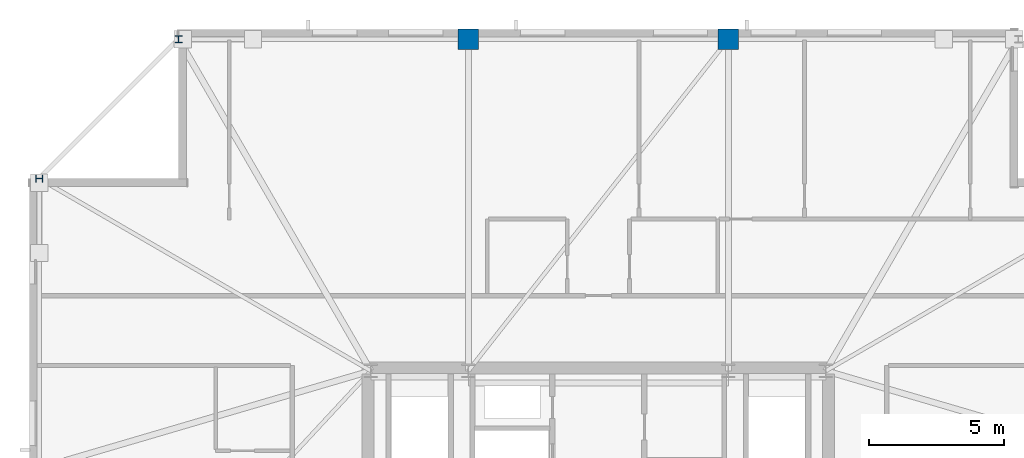
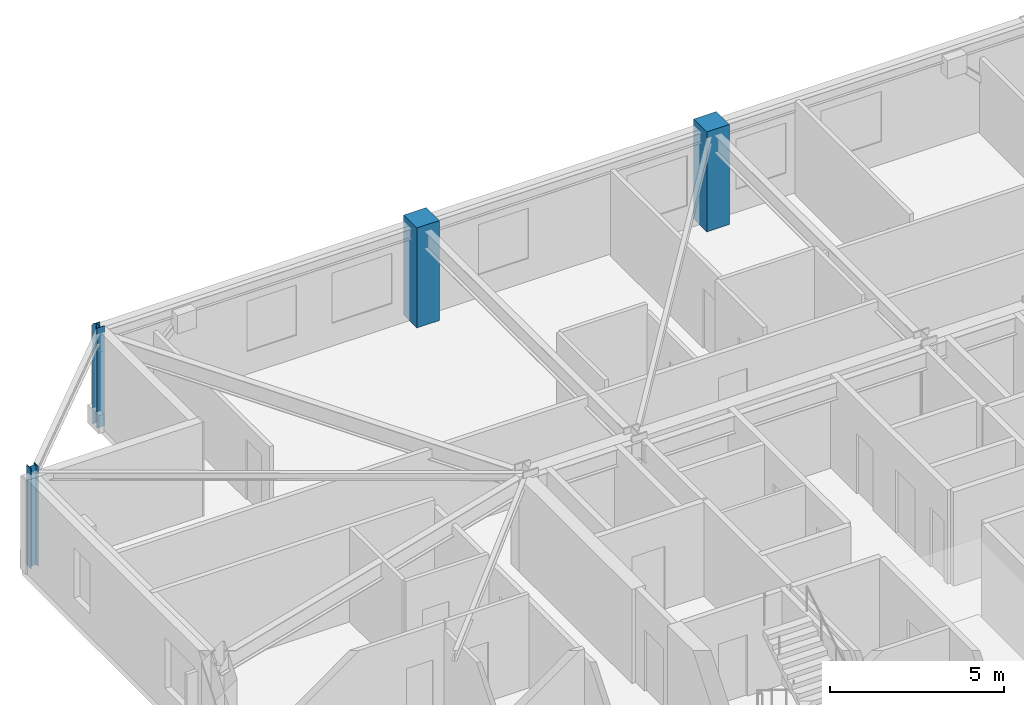
# One storey, part 4 of 15: 4 columns.
"""IFC4 building model written with IfcOpenShell, lengths in metres."""

from ifc_helpers import new_model, si_unit, direction, frame, origin, origin_2d, place, context, subcontext, project, spatial, rectangle, i_section, extrude, material, material_profile, profile_set, type_object, element, save


model = new_model("IFC4")

# Units and contexts
model_context = context("Model", 3, precision=1e-05, world=origin(), true_north=direction((0.0, 1.0)))
body_context = subcontext(model_context, "Body", "Model", "MODEL_VIEW")
ifc_project = project(units=[si_unit("LENGTHUNIT", "METRE"), si_unit("AREAUNIT", "SQUARE_METRE"), si_unit("VOLUMEUNIT", "CUBIC_METRE"), si_unit("PLANEANGLEUNIT", "RADIAN"), si_unit("MASSUNIT", "GRAM", prefix="KILO")], contexts=[model_context])

# Site, building, storey
site_placement = place(None, origin())
site = spatial("IfcSite", under=ifc_project, at=site_placement, CompositionType="ELEMENT")
building_placement = place(site_placement, origin())
building = spatial("IfcBuilding", under=site, at=building_placement, Name="Cairnveth Concourse Tower", CompositionType="ELEMENT")
storey_placement = place(building_placement, frame((0.0, 0.0, 298.0)))
storey = spatial("IfcBuildingStorey", under=building, at=storey_placement, Name="L82", CompositionType="ELEMENT", Elevation=298.0)

# Columns
ifc_material_1 = material(Name="Concrete N50 (50 MPa)", Category="concrete")
ifc_material_profile_1 = material_profile(ifc_material_1, rectangle(XDim=0.75, YDim=0.75, at=origin_2d()), Name="RC-COL-750x750")
ifc_profile_set_1 = profile_set([ifc_material_profile_1], Name="Concrete N50 (50 MPa)")
column_type_1 = type_object("IfcColumnType", Name="PERIMETER PIER COLUMN 750X750", PredefinedType="COLUMN", material=ifc_profile_set_1)
for number, where, z_axis, x_axis, name in (
    (1, (56.800048828125, 59.64990234375, 0.0), (0.0, 0.0, 1.0), (1.0, 0.0, 0.0), "Column P-N2 L82"),
    (2, (47.199951171875, 59.64990234375, 0.0), (0.0, 0.0, 1.0), (1.0, 0.0, 0.0), "Column P-N3 L82"),
):
    element("IfcColumn", number, at=place(storey_placement, frame(where, z_axis=z_axis, x_axis=x_axis)), inside=storey, type_object=column_type_1, Name=name, PredefinedType="COLUMN", context=body_context, shape_type="SweptSolid", body=[
        extrude(rectangle(XDim=0.75, YDim=0.75, at=origin_2d()), origin(), (0.0, 0.0, 1.0), 3.5),
    ])
ifc_material_2 = material(Name="Steel Grade 350", Category="steel")
ifc_material_profile_2 = material_profile(ifc_material_2, i_section(OverallWidth=0.25390625, OverallDepth=0.25390625, WebThickness=0.008544921875, FlangeThickness=0.01416015625, FilletRadius=0.012939453125, at=origin_2d()), Name="250UC72.9")
ifc_profile_set_2 = profile_set([ifc_material_profile_2], Name="Steel Grade 350")
column_type_2 = type_object("IfcColumnType", Name="UNIVERSAL STEEL COLUMN 250UC72.9", PredefinedType="COLUMN", material=ifc_profile_set_2)
for number, where, z_axis, x_axis, name in (
    (3, (36.5, 59.64990234375, 0.0), (0.0, 0.0, 1.0), (1.0, 0.0, 0.0), "Column P-N4 L82"),
    (4, (31.35009765625, 54.5, 0.0), (0.0, 0.0, 1.0), (0.0, 1.0, 0.0), "Column P-W1 L82"),
):
    element("IfcColumn", number, at=place(storey_placement, frame(where, z_axis=z_axis, x_axis=x_axis)), inside=storey, type_object=column_type_2, Name=name, PredefinedType="COLUMN", context=body_context, shape_type="SweptSolid", body=[
        extrude(i_section(OverallWidth=0.25390625, OverallDepth=0.25390625, WebThickness=0.008544921875, FlangeThickness=0.01416015625, FilletRadius=0.012939453125, at=origin_2d()), origin(), (0.0, 0.0, 1.0), 3.5),
    ])

save(model, "model.ifc")
